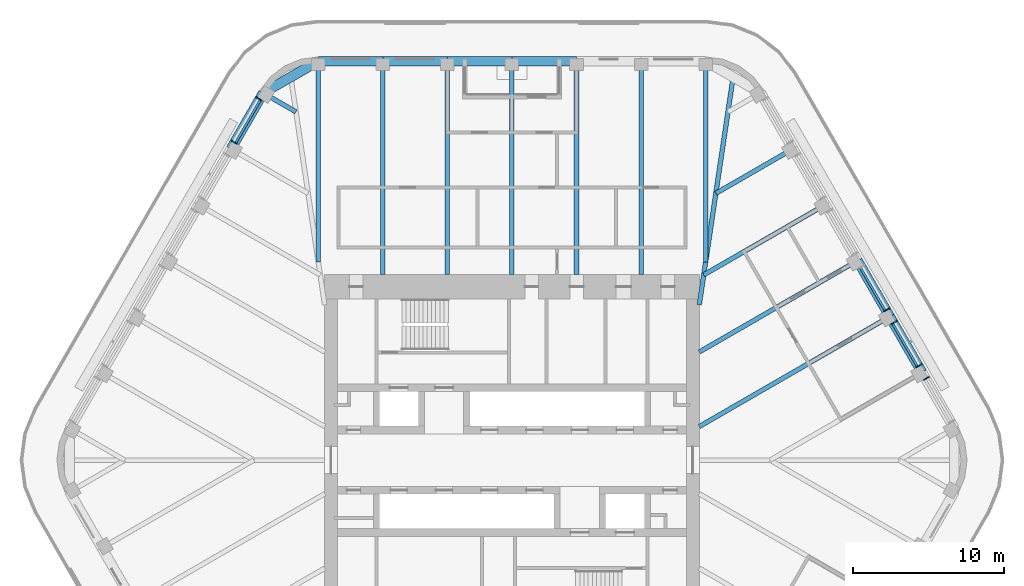
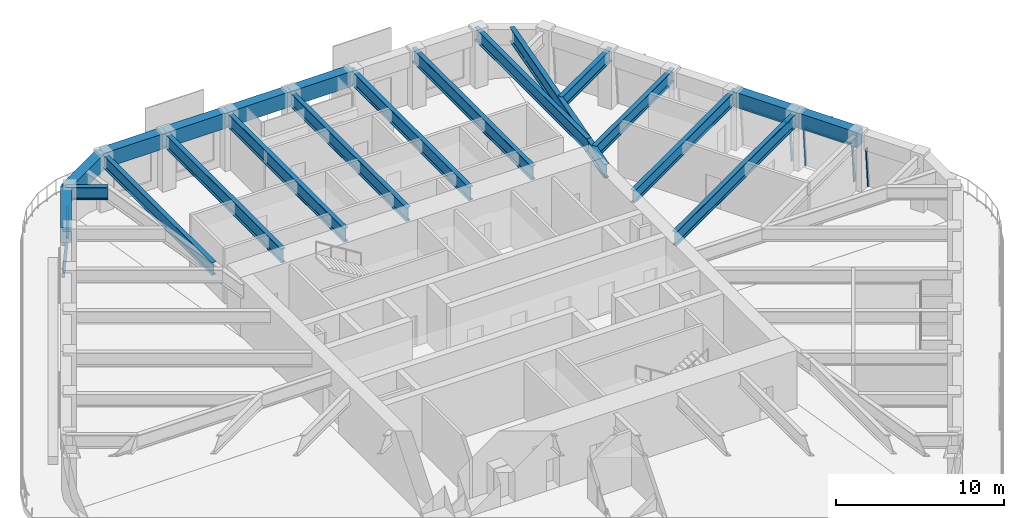
# One storey, part 9 of 19: 21 beams, 9 members, 4 elements without a shape of their own.
"""IFC4 building model written with IfcOpenShell, lengths in metres."""

from ifc_helpers import new_model, si_unit, direction, frame, origin, origin_2d, place, context, subcontext, project, spatial, rectangle, i_section, extrude, material, material_profile, profile_set, type_object, element, aggregate, save


model = new_model("IFC4")

# Units and contexts
model_context = context("Model", 3, precision=1e-05, world=origin(), true_north=direction((0.0, 1.0)))
body_context = subcontext(model_context, "Body", "Model", "MODEL_VIEW")
ifc_project = project(units=[si_unit("LENGTHUNIT", "METRE"), si_unit("AREAUNIT", "SQUARE_METRE"), si_unit("VOLUMEUNIT", "CUBIC_METRE"), si_unit("PLANEANGLEUNIT", "RADIAN"), si_unit("MASSUNIT", "GRAM", prefix="KILO")], contexts=[model_context])

# Site, building, storey
site_placement = place(None, origin())
site = spatial("IfcSite", under=ifc_project, at=site_placement, CompositionType="ELEMENT")
building_placement = place(site_placement, origin())
building = spatial("IfcBuilding", under=site, at=building_placement, Name="Tarfa Lantern Tower", CompositionType="ELEMENT")
storey_placement = place(building_placement, frame((0.0, 0.0, 366.10009765625)))
storey = spatial("IfcBuildingStorey", under=building, at=storey_placement, Name="L83", CompositionType="ELEMENT", Elevation=366.10009765625)

# Curtain wall, member
ifc_material_1 = material(Name="Aluminium framed curtain wall", Category="aluminium")
curtain_wall_type = type_object("IfcCurtainWallType", Name="CW4 CANTED GLAZING EXECUTIVE ZONE 2900", PredefinedType="USERDEFINED", material=ifc_material_1)
curtain_wall_1_placement = place(storey_placement, origin())
curtain_wall_1 = element("IfcCurtainWall", 1, at=curtain_wall_1_placement, inside=storey, type_object=curtain_wall_type, Name="CW4 NE L83", ObjectType="CURTAIN WALL", PredefinedType="USERDEFINED")
ifc_material_2 = material(Name="Aluminium mullion", Category="aluminium")
ifc_material_profile_1 = material_profile(ifc_material_2, rectangle(XDim=0.06494140625, YDim=0.199951171875, at=origin_2d()), Name="AL MULLION 65x200")
ifc_profile_set_1 = profile_set([ifc_material_profile_1], Name="Aluminium mullion")
member_type_1 = type_object("IfcMemberType", Name="CWM1 MULLION 65x200", PredefinedType="MULLION", material=ifc_profile_set_1)
member_1_placement = place(storey_placement, frame((27.602783203125, 5.490478515625, 0.0), z_axis=(-0.074399820079, -0.042945555672, 0.996303340364), x_axis=(0.499919672301, -0.866071776036, 0.0)))
member_1 = element("IfcMember", 2, at=member_1_placement, type_object=member_type_1, Name="CW4 mullion 2", PredefinedType="MULLION", context=body_context, shape_type="SweptSolid", body=[
    extrude(rectangle(XDim=0.06494140625, YDim=0.199951171875, at=origin_2d()), origin(), (0.0, 0.0, 1.0), 2.91064453125),
])
aggregate(curtain_wall_1, [member_1])

# Curtain wall, members
curtain_wall_2_placement = place(storey_placement, origin())
curtain_wall_2 = element("IfcCurtainWall", 3, at=curtain_wall_2_placement, inside=storey, type_object=curtain_wall_type, Name="CW4 NE L83", ObjectType="CURTAIN WALL", PredefinedType="USERDEFINED")
member_2_placement = place(storey_placement, frame((27.120361328125, 6.326171875, 0.0), z_axis=(-0.074399820079, -0.042945555672, 0.996303340364), x_axis=(0.499919672301, -0.866071776036, 0.0)))
member_2 = element("IfcMember", 4, at=member_2_placement, type_object=member_type_1, Name="CW4 mullion 1", PredefinedType="MULLION", context=body_context, shape_type="SweptSolid", body=[
    extrude(rectangle(XDim=0.06494140625, YDim=0.199951171875, at=origin_2d()), origin(), (0.0, 0.0, 1.0), 2.91064453125),
])
member_3_placement = place(storey_placement, frame((25.4619140625, 9.19873046875, 0.0), z_axis=(-0.074399820079, -0.042945555672, 0.996303340364), x_axis=(0.499919672301, -0.866071776036, 0.0)))
member_3 = element("IfcMember", 5, at=member_3_placement, type_object=member_type_1, Name="CW4 mullion 2", PredefinedType="MULLION", context=body_context, shape_type="SweptSolid", body=[
    extrude(rectangle(XDim=0.06494140625, YDim=0.199951171875, at=origin_2d()), origin(), (0.0, 0.0, 1.0), 2.91064453125),
])

# Curtain wall, member
curtain_wall_3_placement = place(storey_placement, origin())
curtain_wall_3 = element("IfcCurtainWall", 6, at=curtain_wall_3_placement, inside=storey, type_object=curtain_wall_type, Name="CW4 NE L83", ObjectType="CURTAIN WALL", PredefinedType="USERDEFINED")
member_4_placement = place(storey_placement, frame((24.979248046875, 10.034423828125, 0.0), z_axis=(-0.074316405553, -0.042945823525, 0.996309554359), x_axis=(0.500342721131, -0.865827443207, 0.0)))
member_4 = element("IfcMember", 7, at=member_4_placement, type_object=member_type_1, Name="CW4 mullion 1", PredefinedType="MULLION", context=body_context, shape_type="SweptSolid", body=[
    extrude(rectangle(XDim=0.06494140625, YDim=0.199951171875, at=origin_2d()), origin(), (0.0, 0.0, 1.0), 2.91064453125),
])

# Curtain wall, members
curtain_wall_4_placement = place(storey_placement, origin())
curtain_wall_4 = element("IfcCurtainWall", 8, at=curtain_wall_4_placement, inside=storey, type_object=curtain_wall_type, Name="CW4 NW L83", ObjectType="CURTAIN WALL", PredefinedType="USERDEFINED")
member_5_placement = place(storey_placement, frame((-16.897705078125, 24.0322265625, 0.0), z_axis=(0.074316405553, -0.042945823525, 0.996309554359), x_axis=(0.500342721131, 0.865827443207, 0.0)))
member_5 = element("IfcMember", 9, at=member_5_placement, type_object=member_type_1, Name="CW4 mullion 1", PredefinedType="MULLION", context=body_context, shape_type="SweptSolid", body=[
    extrude(rectangle(XDim=0.06494140625, YDim=0.199951171875, at=origin_2d()), origin(), (0.0, 0.0, 1.0), 2.91064453125),
])
member_6_placement = place(storey_placement, frame((-18.556396484375, 21.159423828125, 0.0), z_axis=(0.074399820079, -0.042945555672, 0.996303340364), x_axis=(0.499919672301, 0.866071776036, 0.0)))
member_6 = element("IfcMember", 10, at=member_6_placement, type_object=member_type_1, Name="CW4 mullion 2", PredefinedType="MULLION", context=body_context, shape_type="SweptSolid", body=[
    extrude(rectangle(XDim=0.06494140625, YDim=0.199951171875, at=origin_2d()), origin(), (0.0, 0.0, 1.0), 2.91064453125),
])

# Member
ifc_material_3 = material(Name="Aluminium transom", Category="aluminium")
ifc_material_profile_2 = material_profile(ifc_material_3, rectangle(XDim=0.14990234375, YDim=0.06494140625, at=origin_2d()), Name="AL TRANSOM 150x65")
ifc_profile_set_2 = profile_set([ifc_material_profile_2], Name="Aluminium transom")
member_type_2 = type_object("IfcMemberType", Name="CWT1 TRANSOM 150x65", PredefinedType="USERDEFINED", material=ifc_profile_set_2)
member_7_placement = place(storey_placement, frame((26.889892578125, 6.230712890625, 2.867431640625), z_axis=(-0.499982393232, 0.866035568818, 0.0), x_axis=(-0.866035568818, -0.499982393232, 0.0)))
member_7 = element("IfcMember", 11, at=member_7_placement, type_object=member_type_2, Name="CW4 transom 1.2", ObjectType="TRANSOM", PredefinedType="USERDEFINED", context=body_context, shape_type="SweptSolid", body=[
    extrude(rectangle(XDim=0.14990234375, YDim=0.06494140625, at=origin_2d()), origin(), (0.0, 0.0, 1.0), 3.251953125),
])

aggregate(curtain_wall_2, [member_2, member_3, member_7])

member_8_placement = place(storey_placement, frame((24.7490234375, 9.93896484375, 2.867431640625), z_axis=(-0.499982393232, 0.866035568818, 0.0), x_axis=(-0.866035568818, -0.499982393232, 0.0)))
member_8 = element("IfcMember", 12, at=member_8_placement, type_object=member_type_2, Name="CW4 transom 1.2", ObjectType="TRANSOM", PredefinedType="USERDEFINED", context=body_context, shape_type="SweptSolid", body=[
    extrude(rectangle(XDim=0.14990234375, YDim=0.06494140625, at=origin_2d()), origin(), (0.0, 0.0, 1.0), 3.251953125),
])

aggregate(curtain_wall_3, [member_4, member_8])

member_9_placement = place(storey_placement, frame((-16.699951171875, 23.88037109375, 2.867431640625), z_axis=(-0.499982393232, -0.866035568818, 0.0), x_axis=(0.866035568818, -0.499982393232, 0.0)))
member_9 = element("IfcMember", 13, at=member_9_placement, type_object=member_type_2, Name="CW4 transom 1.2", ObjectType="TRANSOM", PredefinedType="USERDEFINED", context=body_context, shape_type="SweptSolid", body=[
    extrude(rectangle(XDim=0.14990234375, YDim=0.06494140625, at=origin_2d()), origin(), (0.0, 0.0, 1.0), 3.251953125),
])

aggregate(curtain_wall_4, [member_5, member_6, member_9])

# Beams
ifc_material_4 = material(Name="Concrete C80/95", Category="concrete")
ifc_material_profile_3 = material_profile(ifc_material_4, rectangle(XDim=0.64990234375, YDim=1.10009765625, at=origin_2d()), Name="RC 650x1100")
ifc_profile_set_3 = profile_set([ifc_material_profile_3], Name="Concrete C80/95")
beam_type_1 = type_object("IfcBeamType", Name="EB4 RC 650x1100", PredefinedType="SPANDREL", material=ifc_profile_set_3)
beam_1_placement = place(storey_placement, frame((27.205810546875, 5.818359375, 3.449951171875), z_axis=(-0.500026801138, 0.866009929587, 0.0), x_axis=(-0.866009929587, -0.500026801138, 0.0)))
element("IfcBeam", 14, at=beam_1_placement, inside=storey, type_object=beam_type_1, Name="Edge beam NE1", PredefinedType="SPANDREL", context=body_context, shape_type="SweptSolid", body=[
    extrude(rectangle(XDim=0.64990234375, YDim=1.10009765625, at=origin_2d()), origin(), (0.0, 0.0, 1.0), 4.281982421875),
])
beam_2_placement = place(storey_placement, frame((25.064697265625, 9.526611328125, 3.449951171875), z_axis=(-0.500002112793, 0.866024183959, 0.0), x_axis=(-0.866024183959, -0.500002112793, 0.0)))
element("IfcBeam", 15, at=beam_2_placement, inside=storey, type_object=beam_type_1, Name="Edge beam NE2", PredefinedType="SPANDREL", context=body_context, shape_type="SweptSolid", body=[
    extrude(rectangle(XDim=0.64990234375, YDim=1.10009765625, at=origin_2d()), origin(), (0.0, 0.0, 1.0), 4.2822265625),
])
for number, where, z_axis, x_axis, name in (
    (16, (4.281982421875, 26.469970703125, 3.449951171875), (-1.0, 0.0, 0.0), (0.0, -1.0, 0.0), "Edge beam N2"),
    (17, (0.0, 26.469970703125, 3.449951171875), (-1.0, 0.0, 0.0), (0.0, -1.0, 0.0), "Edge beam N3"),
    (18, (-4.281982421875, 26.469970703125, 3.449951171875), (-1.0, 0.0, 0.0), (0.0, -1.0, 0.0), "Edge beam N4"),
    (19, (-8.56396484375, 26.469970703125, 3.449951171875), (-1.0, 0.0, 0.0), (0.0, -1.0, 0.0), "Edge beam N5"),
):
    element("IfcBeam", number, at=place(storey_placement, frame(where, z_axis=z_axis, x_axis=x_axis)), inside=storey, type_object=beam_type_1, Name=name, PredefinedType="SPANDREL", context=body_context, shape_type="SweptSolid", body=[
        extrude(rectangle(XDim=0.64990234375, YDim=1.10009765625, at=origin_2d()), origin(), (0.0, 0.0, 1.0), 4.281982421875),
    ])
beam_3_placement = place(storey_placement, frame((-12.845947265625, 26.469970703125, 3.449951171875), z_axis=(-0.866048788483, -0.499959494327, 0.0), x_axis=(0.499959494327, -0.866048788483, 0.0)))
element("IfcBeam", 20, at=beam_3_placement, inside=storey, type_object=beam_type_1, Name="Edge beam N6", PredefinedType="SPANDREL", context=body_context, shape_type="SweptSolid", body=[
    extrude(rectangle(XDim=0.64990234375, YDim=1.10009765625, at=origin_2d()), origin(), (0.0, 0.0, 1.0), 4.219970703125),
])
beam_4_placement = place(storey_placement, frame((-16.500732421875, 24.360107421875, 3.449951171875), z_axis=(-0.499959351497, -0.866048870937, 0.0), x_axis=(0.866048870937, -0.499959351497, 0.0)))
element("IfcBeam", 21, at=beam_4_placement, inside=storey, type_object=beam_type_1, Name="Edge beam NW0", PredefinedType="SPANDREL", context=body_context, shape_type="SweptSolid", body=[
    extrude(rectangle(XDim=0.64990234375, YDim=1.10009765625, at=origin_2d()), origin(), (0.0, 0.0, 1.0), 4.281982421875),
])
ifc_material_5 = material(Name="Steel S460M", Category="steel")
ifc_material_profile_4 = material_profile(ifc_material_5, i_section(OverallWidth=0.302001953125, OverallDepth=1.008056640625, WebThickness=0.02099609375, FlangeThickness=0.0400390625, FilletRadius=0.030029296875, at=origin_2d()), Name="UB1016x305x349")
ifc_profile_set_4 = profile_set([ifc_material_profile_4], Name="Steel S460M")
beam_type_2 = type_object("IfcBeamType", Name="UB1016x305x349", PredefinedType="BEAM", material=ifc_profile_set_4)
beam_5_placement = place(storey_placement, frame((25.064697265625, 9.526611328125, 3.495849609375), z_axis=(-0.866029591389, -0.499992746786, 0.0), x_axis=(0.499992746786, -0.866029591389, 0.0)))
element("IfcBeam", 22, at=beam_5_placement, inside=storey, type_object=beam_type_2, Name="Floor beam NE2", PredefinedType="BEAM", context=body_context, shape_type="SweptSolid", body=[
    extrude(i_section(OverallWidth=0.302001953125, OverallDepth=1.008056640625, WebThickness=0.02099609375, FlangeThickness=0.0400390625, FilletRadius=0.030029296875, at=origin_2d()), origin(), (0.0, 0.0, 1.0), 14.594970703125),
])
for number, where, z_axis, x_axis, name in (
    (23, (8.56396484375, 26.469970703125, 3.495849609375), (0.0, -1.0, 0.0), (1.0, 0.0, 0.0), "Floor beam N1"),
    (24, (4.281982421875, 26.469970703125, 3.495849609375), (0.0, -1.0, 0.0), (1.0, 0.0, 0.0), "Floor beam N2"),
    (25, (0.0, 26.469970703125, 3.495849609375), (0.0, -1.0, 0.0), (1.0, 0.0, 0.0), "Floor beam N3"),
    (26, (-4.281982421875, 26.469970703125, 3.495849609375), (0.0, -1.0, 0.0), (1.0, 0.0, 0.0), "Floor beam N4"),
    (27, (-8.56396484375, 26.469970703125, 3.495849609375), (0.0, -1.0, 0.0), (1.0, 0.0, 0.0), "Floor beam N5"),
):
    element("IfcBeam", number, at=place(storey_placement, frame(where, z_axis=z_axis, x_axis=x_axis)), inside=storey, type_object=beam_type_2, Name=name, PredefinedType="BEAM", context=body_context, shape_type="SweptSolid", body=[
        extrude(i_section(OverallWidth=0.302001953125, OverallDepth=1.008056640625, WebThickness=0.02099609375, FlangeThickness=0.0400390625, FilletRadius=0.030029296875, at=origin_2d()), origin(), (0.0, 0.0, 1.0), 14.169921875),
    ])
ifc_material_profile_5 = material_profile(ifc_material_5, i_section(OverallWidth=0.30859375, OverallDepth=1.036376953125, WebThickness=0.030029296875, FlangeThickness=0.05419921875, FilletRadius=0.030029296875, at=origin_2d()), Name="UB1016x305x487")
ifc_profile_set_5 = profile_set([ifc_material_profile_5], Name="Steel S460M")
beam_type_3 = type_object("IfcBeamType", Name="UB1016x305x487", PredefinedType="BEAM", material=ifc_profile_set_5)
beam_6_placement = place(storey_placement, frame((12.425048828125, 10.300048828125, 3.481689453125), z_axis=(0.147127069073, 0.989117599452, 0.0), x_axis=(-0.989117599452, 0.147127069073, 0.0)))
element("IfcBeam", 28, at=beam_6_placement, inside=storey, type_object=beam_type_3, Name="Hip girder NE", PredefinedType="BEAM", context=body_context, shape_type="SweptSolid", body=[
    extrude(i_section(OverallWidth=0.30859375, OverallDepth=1.036376953125, WebThickness=0.030029296875, FlangeThickness=0.05419921875, FilletRadius=0.030029296875, at=origin_2d()), origin(), (0.0, 0.0, 1.0), 15.28125),
])
ifc_material_profile_6 = material_profile(ifc_material_5, i_section(OverallWidth=0.305419921875, OverallDepth=0.91845703125, WebThickness=0.017333984375, FlangeThickness=0.02783203125, FilletRadius=0.01904296875, at=origin_2d()), Name="UB914x305x253")
ifc_profile_set_6 = profile_set([ifc_material_profile_6], Name="Steel S460M")
beam_type_4 = type_object("IfcBeamType", Name="UB914x305x253", PredefinedType="BEAM", material=ifc_profile_set_6)
beam_7_placement = place(storey_placement, frame((22.923583984375, 13.235107421875, 3.540771484375), z_axis=(-0.86601856927, -0.500011837539, 0.0), x_axis=(0.500011837539, -0.86601856927, 0.0)))
element("IfcBeam", 29, at=beam_7_placement, inside=storey, type_object=beam_type_4, Name="Floor beam NE3", PredefinedType="BEAM", context=body_context, shape_type="SweptSolid", body=[
    extrude(i_section(OverallWidth=0.305419921875, OverallDepth=0.91845703125, WebThickness=0.017333984375, FlangeThickness=0.02783203125, FilletRadius=0.01904296875, at=origin_2d()), origin(), (0.0, 0.0, 1.0), 12.122802734375),
])
beam_8_placement = place(storey_placement, frame((20.78271484375, 16.943359375, 3.540771484375), z_axis=(-0.866021806508, -0.500006230613, 0.0), x_axis=(0.500006230613, -0.866021806508, 0.0)))
element("IfcBeam", 30, at=beam_8_placement, inside=storey, type_object=beam_type_4, Name="Floor beam NE4", PredefinedType="BEAM", context=body_context, shape_type="SweptSolid", body=[
    extrude(i_section(OverallWidth=0.305419921875, OverallDepth=0.91845703125, WebThickness=0.017333984375, FlangeThickness=0.02783203125, FilletRadius=0.01904296875, at=origin_2d()), origin(), (0.0, 0.0, 1.0), 9.30908203125),
])
beam_9_placement = place(storey_placement, frame((18.6416015625, 20.651611328125, 3.540771484375), z_axis=(-0.866024549157, -0.500001480256, 0.0), x_axis=(0.500001480256, -0.866024549157, 0.0)))
element("IfcBeam", 31, at=beam_9_placement, inside=storey, type_object=beam_type_4, Name="Floor beam NE5", PredefinedType="BEAM", context=body_context, shape_type="SweptSolid", body=[
    extrude(i_section(OverallWidth=0.305419921875, OverallDepth=0.91845703125, WebThickness=0.017333984375, FlangeThickness=0.02783203125, FilletRadius=0.01904296875, at=origin_2d()), origin(), (0.0, 0.0, 1.0), 5.90771484375),
])
for number, where, z_axis, x_axis, name in (
    (32, (12.845947265625, 26.469970703125, 3.540771484375), (0.0, -1.0, 0.0), (1.0, 0.0, 0.0), "Floor beam N0"),
    (33, (-12.845947265625, 26.469970703125, 3.540771484375), (0.0, -1.0, 0.0), (1.0, 0.0, 0.0), "Floor beam N6"),
):
    element("IfcBeam", number, at=place(storey_placement, frame(where, z_axis=z_axis, x_axis=x_axis)), inside=storey, type_object=beam_type_4, Name=name, PredefinedType="BEAM", context=body_context, shape_type="SweptSolid", body=[
        extrude(i_section(OverallWidth=0.305419921875, OverallDepth=0.91845703125, WebThickness=0.017333984375, FlangeThickness=0.02783203125, FilletRadius=0.01904296875, at=origin_2d()), origin(), (0.0, 0.0, 1.0), 13.33935546875),
    ])
beam_10_placement = place(storey_placement, frame((-16.500732421875, 24.360107421875, 3.540771484375), z_axis=(0.865992557167, -0.500056887695, 0.0), x_axis=(0.500056887695, 0.865992557167, 0.0)))
element("IfcBeam", 34, at=beam_10_placement, inside=storey, type_object=beam_type_4, Name="Floor beam NW0", PredefinedType="BEAM", context=body_context, shape_type="SweptSolid", body=[
    extrude(i_section(OverallWidth=0.305419921875, OverallDepth=0.91845703125, WebThickness=0.017333984375, FlangeThickness=0.02783203125, FilletRadius=0.01904296875, at=origin_2d()), origin(), (0.0, 0.0, 1.0), 2.506591796875),
])

save(model, "model.ifc")
